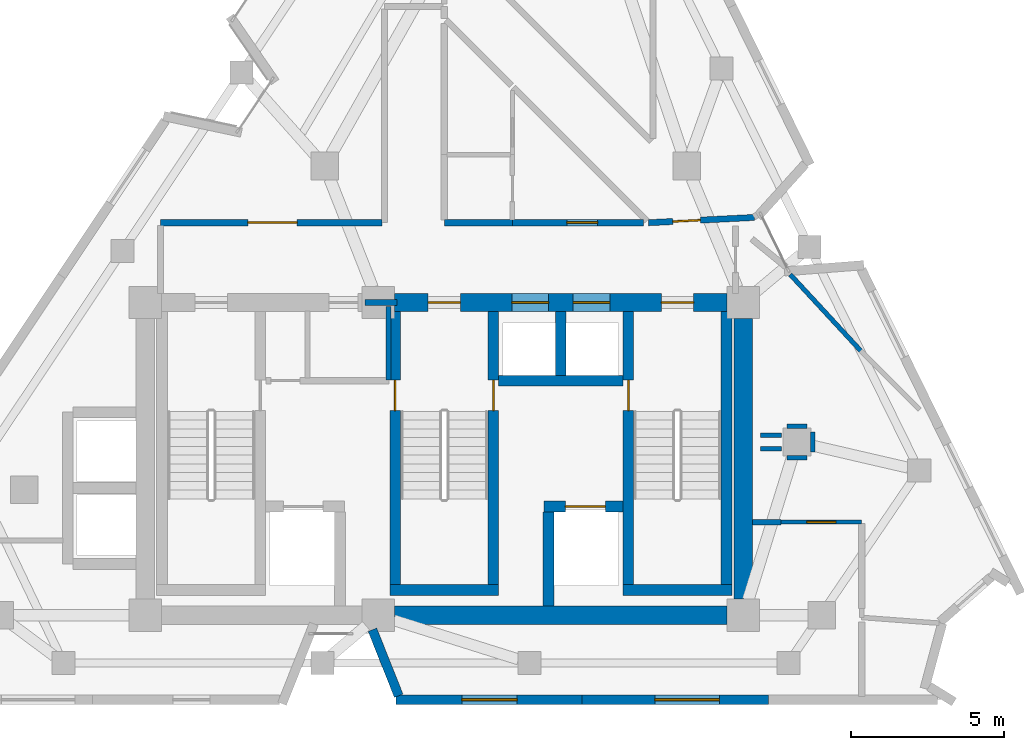
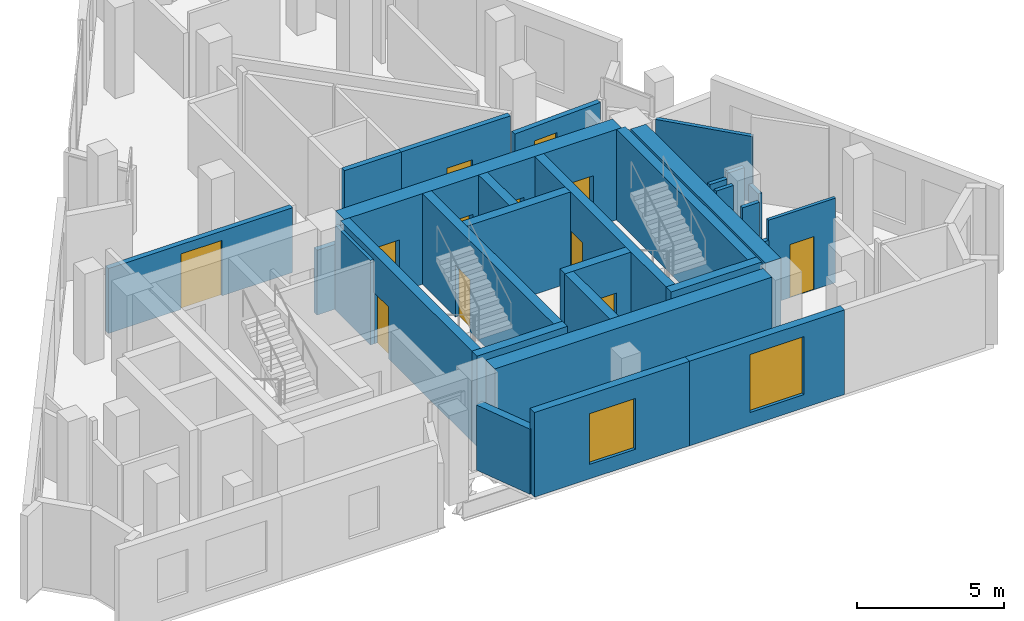
# One storey, part 5 of 8: 30 walls, 12 doors, 2 windows, 14 openings.
"""IFC4 building model written with IfcOpenShell, lengths in metres."""

from ifc_helpers import new_model, si_unit, direction, frame, frame_2d, origin, place, context, subcontext, project, spatial, rectangle, extrude, material, layer, layer_set, type_object, element, fill, save


model = new_model("IFC4")

# Units and contexts
model_context = context("Model", 3, precision=1e-05, world=origin(), true_north=direction((0.0, 1.0)))
body_context = subcontext(model_context, "Body", "Model", "MODEL_VIEW")
ifc_project = project(units=[si_unit("LENGTHUNIT", "METRE"), si_unit("AREAUNIT", "SQUARE_METRE"), si_unit("VOLUMEUNIT", "CUBIC_METRE"), si_unit("PLANEANGLEUNIT", "RADIAN"), si_unit("MASSUNIT", "GRAM", prefix="KILO")], contexts=[model_context])

# Site, building, storey
site_placement = place(None, origin())
site = spatial("IfcSite", under=ifc_project, at=site_placement, CompositionType="ELEMENT")
building_placement = place(site_placement, origin())
building = spatial("IfcBuilding", under=site, at=building_placement, Name="Almagre Mirador Tower", CompositionType="ELEMENT")
storey_placement = place(building_placement, frame((0.0, 0.0, 274.5)))
storey = spatial("IfcBuildingStorey", under=building, at=storey_placement, Name="L71", CompositionType="ELEMENT", Elevation=274.5)

# Wall, opening, window
ifc_material_1 = material(Name="Precast concrete C50/60", Category="concrete")
ifc_layer_1 = layer(ifc_material_1, 0.300048828125)
ifc_layer_set_1 = layer_set([ifc_layer_1], Name="Precast concrete C50/60")
wall_type_1 = type_object("IfcWallType", Name="WAL-EXT-300", PredefinedType="SOLIDWALL", material=ifc_layer_set_1)
wall_1_placement = place(storey_placement, frame((47.867919921875, 1.800048828125, 0.0), z_axis=(0.0, 0.0, 1.0), x_axis=(-1.0, 0.0, 0.0)))
wall_1 = element("IfcWall", 1, at=wall_1_placement, inside=storey, type_object=wall_type_1, Name="L71 expressed almagre precast frame wall 20", PredefinedType="SOLIDWALL", context=body_context, shape_type="SweptSolid", body=[
    extrude(rectangle(XDim=6.072021484375, YDim=0.300048828125, at=frame_2d((3.0361328125, 0.0))), origin(), (0.0, 0.0, 1.0), 3.5),
])
opening_1_placement = place(wall_1_placement, frame((1.60009765625, 0.0, 0.550048828125)))
opening_1 = element("IfcOpeningElement", 2, at=opening_1_placement, cuts=wall_1, Name="Opening WN-05", PredefinedType="OPENING", context=body_context, shape_type="SweptSolid", body=[
    extrude(rectangle(XDim=2.10009765625, YDim=2.39990234375, at=frame_2d((1.050048828125, 1.199951171875))), frame((0.0, 0.159902, 0.0), z_axis=(0.0, -1.0, 0.0), x_axis=(1.0, 0.0, 0.0)), (0.0, 0.0, 1.0), 0.320049),
])
ifc_material_2 = material(Name="Dark solar-control laminated hurricane glass", Category="glass")
window_type_1 = type_object("IfcWindowType", Name="WIN-2100X2400", PartitioningType="DOUBLE_PANEL_VERTICAL", PredefinedType="WINDOW", material=ifc_material_2)
window_1_placement = place(opening_1_placement, origin())
window_1 = element("IfcWindow", 3, at=window_1_placement, inside=storey, type_object=window_type_1, Name="L71 recessed hurricane window L71-UC-BT", OverallHeight=2.39990234375, OverallWidth=2.10009765625, PartitioningType="SINGLE_PANEL", PredefinedType="WINDOW", context=body_context, shape_type="SweptSolid", body=[
    extrude(rectangle(XDim=2.10009765625, YDim=2.39990234375, at=frame_2d((1.050048828125, 1.199951171875))), frame((0.0, 0.030029296875, 0.0), z_axis=(0.0, -1.0, 0.0), x_axis=(1.0, 0.0, 0.0)), (0.0, 0.0, 1.0), 0.06005859375),
])
fill(opening_1, window_1)

wall_2_placement = place(storey_placement, frame((41.7958984375, 1.800048828125, 0.0), z_axis=(0.0, 0.0, 1.0), x_axis=(-1.0, 0.0, 0.0)))
wall_2 = element("IfcWall", 4, at=wall_2_placement, inside=storey, type_object=wall_type_1, Name="L71 expressed almagre precast frame wall 21", PredefinedType="SOLIDWALL", context=body_context, shape_type="SweptSolid", body=[
    extrude(rectangle(XDim=6.07177734375, YDim=0.300048828125, at=frame_2d((3.035888671875, 0.0))), origin(), (0.0, 0.0, 1.0), 3.5),
])
opening_2_placement = place(wall_2_placement, frame((2.125, 0.0, 0.60009765625)))
opening_2 = element("IfcOpeningElement", 5, at=opening_2_placement, cuts=wall_2, Name="Opening WN-01", PredefinedType="OPENING", context=body_context, shape_type="SweptSolid", body=[
    extrude(rectangle(XDim=1.800048828125, YDim=2.10009765625, at=frame_2d((0.89990234375, 1.050048828125))), frame((0.0, 0.159902, 0.0), z_axis=(0.0, -1.0, 0.0), x_axis=(1.0, 0.0, 0.0)), (0.0, 0.0, 1.0), 0.320049),
])
ifc_material_3 = material(Name="Dark solar-control laminated hurricane glass", Category="glass")
window_type_2 = type_object("IfcWindowType", Name="WIN-1800X2100", PartitioningType="DOUBLE_PANEL_VERTICAL", PredefinedType="WINDOW", material=ifc_material_3)
window_2_placement = place(opening_2_placement, origin())
window_2 = element("IfcWindow", 6, at=window_2_placement, inside=storey, type_object=window_type_2, Name="L71 recessed hurricane window L71-UB-ST", OverallHeight=2.10009765625, OverallWidth=1.800048828125, PartitioningType="SINGLE_PANEL", PredefinedType="WINDOW", context=body_context, shape_type="SweptSolid", body=[
    extrude(rectangle(XDim=1.800048828125, YDim=2.10009765625, at=frame_2d((0.89990234375, 1.050048828125))), frame((0.0, 0.030029296875, 0.0), z_axis=(0.0, -1.0, 0.0), x_axis=(1.0, 0.0, 0.0)), (0.0, 0.0, 1.0), 0.06005859375),
])
fill(opening_2, window_2)

# Wall
wall_3_placement = place(storey_placement, frame((35.814208984375, 1.92529296875, 0.0), z_axis=(0.0, 0.0, 1.0), x_axis=(-0.369538433836, 0.929215446448, 0.0)))
element("IfcWall", 7, at=wall_3_placement, inside=storey, type_object=wall_type_1, Name="L71 expressed almagre precast frame wall 22", PredefinedType="SOLIDWALL", context=body_context, shape_type="SweptSolid", body=[
    extrude(rectangle(XDim=2.31884765625, YDim=0.300048828125, at=frame_2d((1.159423828125, 0.0))), origin(), (0.0, 0.0, 1.0), 2.696044921875),
])

# Wall, opening, door
ifc_material_4 = material(Name="Gypsum acoustic stud partition", Category="other")
ifc_layer_2 = layer(ifc_material_4, 0.125)
ifc_layer_set_2 = layer_set([ifc_layer_2], Name="Gypsum acoustic stud partition")
wall_type_2 = type_object("IfcWallType", Name="WAL-PRT-125-UTL", PredefinedType="PARTITIONING", material=ifc_layer_set_2)
wall_4_placement = place(storey_placement, frame((48.280029296875, 7.590087890625, 0.0), z_axis=(0.0, 0.0, 1.0), x_axis=(1.0, 0.0, 0.0)))
wall_4 = element("IfcWall", 8, at=wall_4_placement, inside=storey, type_object=wall_type_2, Name="L71 interior partition 026", PredefinedType="PARTITIONING", context=body_context, shape_type="SweptSolid", body=[
    extrude(rectangle(XDim=2.6298828125, YDim=0.125, at=frame_2d((1.31494140625, 0.0))), origin(), (0.0, 0.0, 1.0), 3.5),
])
opening_3_placement = place(wall_4_placement, frame((0.840087890625, 0.0, 0.0)))
opening_3 = element("IfcOpeningElement", 9, at=opening_3_placement, cuts=wall_4, Name="Opening UD-01", PredefinedType="OPENING", context=body_context, shape_type="SweptSolid", body=[
    extrude(rectangle(XDim=0.949951171875, YDim=2.199951171875, at=frame_2d((0.47509765625, 1.10009765625))), frame((0.0, 0.0725, 0.0), z_axis=(0.0, -1.0, 0.0), x_axis=(1.0, 0.0, 0.0)), (0.0, 0.0, 1.0), 0.145),
])
ifc_material_5 = material(Name="Solid American walnut timber", Category="wood")
door_type_1 = type_object("IfcDoorType", Name="DOR-UNR-950X2200", OperationType="NOTDEFINED", PredefinedType="DOOR", material=ifc_material_5)
door_1_placement = place(opening_3_placement, origin())
door_1 = element("IfcDoor", 10, at=door_1_placement, inside=storey, type_object=door_type_1, Name="DR-2153 L71 interior door L71-UC-ST to L71-UC-KT", OperationType="SINGLE_SWING_RIGHT", OverallHeight=2.199951171875, OverallWidth=0.949951171875, PredefinedType="DOOR", context=body_context, shape_type="SweptSolid", body=[
    extrude(rectangle(XDim=0.949951171875, YDim=2.199951171875, at=frame_2d((0.47509765625, 1.10009765625))), frame((0.0, 0.02490234375, 0.0), z_axis=(0.0, -1.0, 0.0), x_axis=(1.0, 0.0, 0.0)), (0.0, 0.0, 1.0), 0.050048828125),
])
fill(opening_3, door_1)

# Walls
ifc_material_6 = material(Name="Gypsum acoustic stud partition", Category="other")
ifc_layer_3 = layer(ifc_material_6, 0.14990234375)
ifc_layer_set_3 = layer_set([ifc_layer_3], Name="Gypsum acoustic stud partition")
wall_type_3 = type_object("IfcWallType", Name="WAL-PRT-150-STD", PredefinedType="PARTITIONING", material=ifc_layer_set_3)
wall_5_placement = place(storey_placement, frame((47.610107421875, 10.419921875, 0.0), z_axis=(0.0, 0.0, 1.0), x_axis=(1.0, 0.0, 0.0)))
element("IfcWall", 11, at=wall_5_placement, inside=storey, type_object=wall_type_3, Name="L71 interior partition 061", PredefinedType="PARTITIONING", context=body_context, shape_type="SweptSolid", body=[
    extrude(rectangle(XDim=0.679931640625, YDim=0.14990234375, at=frame_2d((0.33984375, 0.0))), origin(), (0.0, 0.0, 1.0), 3.5),
])
wall_6_placement = place(storey_placement, frame((48.469970703125, 10.7099609375, 0.0), z_axis=(0.0, 0.0, 1.0), x_axis=(1.0, 0.0, 0.0)))
element("IfcWall", 12, at=wall_6_placement, inside=storey, type_object=wall_type_3, Name="L71 interior partition 062", PredefinedType="PARTITIONING", context=body_context, shape_type="SweptSolid", body=[
    extrude(rectangle(XDim=0.659912109375, YDim=0.14990234375, at=frame_2d((0.330078125, 0.0))), origin(), (0.0, 0.0, 1.0), 3.5),
])
wall_7_placement = place(storey_placement, frame((49.31005859375, 10.530029296875, 0.0), z_axis=(0.0, 0.0, 1.0), x_axis=(0.0, -1.0, 0.0)))
element("IfcWall", 13, at=wall_7_placement, inside=storey, type_object=wall_type_3, Name="L71 interior partition 063", PredefinedType="PARTITIONING", context=body_context, shape_type="SweptSolid", body=[
    extrude(rectangle(XDim=0.659912109375, YDim=0.14990234375, at=frame_2d((0.330078125, 0.0))), origin(), (0.0, 0.0, 1.0), 2.8349609375),
])
wall_8_placement = place(storey_placement, frame((49.1298828125, 9.68994140625, 0.0), z_axis=(0.0, 0.0, 1.0), x_axis=(-1.0, 0.0, 0.0)))
element("IfcWall", 14, at=wall_8_placement, inside=storey, type_object=wall_type_3, Name="L71 interior partition 064", PredefinedType="PARTITIONING", context=body_context, shape_type="SweptSolid", body=[
    extrude(rectangle(XDim=0.659912109375, YDim=0.14990234375, at=frame_2d((0.330078125, 0.0))), origin(), (0.0, 0.0, 1.0), 2.68505859375),
])
wall_9_placement = place(storey_placement, frame((48.2900390625, 9.97998046875, 0.0), z_axis=(0.0, 0.0, 1.0), x_axis=(-1.0, 0.0, 0.0)))
element("IfcWall", 15, at=wall_9_placement, inside=storey, type_object=wall_type_3, Name="L71 interior partition 065", PredefinedType="PARTITIONING", context=body_context, shape_type="SweptSolid", body=[
    extrude(rectangle(XDim=0.679931640625, YDim=0.14990234375, at=frame_2d((0.33984375, 0.0))), origin(), (0.0, 0.0, 1.0), 3.5),
])
wall_10_placement = place(storey_placement, frame((50.909912109375, 13.139892578125, 0.0), z_axis=(0.0, 0.0, 1.0), x_axis=(-0.678714212845, 0.734402489976, 0.0)))
element("IfcWall", 16, at=wall_10_placement, inside=storey, type_object=wall_type_3, Name="L71 interior partition 068", PredefinedType="PARTITIONING", context=body_context, shape_type="SweptSolid", body=[
    extrude(rectangle(XDim=3.4326171875, YDim=0.14990234375, at=frame_2d((1.71630859375, 0.0))), origin(), (0.0, 0.0, 1.0), 2.69091796875),
])
ifc_material_7 = material(Name="Gypsum acoustic stud partition", Category="other")
ifc_layer_4 = layer(ifc_material_7, 0.175048828125)
ifc_layer_set_4 = layer_set([ifc_layer_4], Name="Gypsum acoustic stud partition")
wall_type_4 = type_object("IfcWallType", Name="WAL-PRT-175-AC", PredefinedType="PARTITIONING", material=ifc_layer_set_4)
wall_11_placement = place(storey_placement, frame((47.35009765625, 7.590087890625, 0.0), z_axis=(0.0, 0.0, 1.0), x_axis=(1.0, 0.0, 0.0)))
element("IfcWall", 17, at=wall_11_placement, inside=storey, type_object=wall_type_4, Name="L71 interior partition 057", PredefinedType="PARTITIONING", context=body_context, shape_type="SweptSolid", body=[
    extrude(rectangle(XDim=0.929931640625, YDim=0.175048828125, at=frame_2d((0.46484375, 0.0))), origin(), (0.0, 0.0, 1.0), 2.68505859375),
])
ifc_material_8 = material(Name="Gypsum acoustic stud partition", Category="other")
ifc_layer_5 = layer(ifc_material_8, 0.199951171875)
ifc_layer_set_5 = layer_set([ifc_layer_5], Name="Gypsum acoustic stud partition")
wall_type_5 = type_object("IfcWallType", Name="WAL-PRT-200-EI60", PredefinedType="PARTITIONING", material=ifc_layer_set_5)
wall_12_placement = place(storey_placement, frame((34.719970703125, 14.75, 0.0), z_axis=(0.0, 0.0, 1.0), x_axis=(1.0, 0.0, 0.0)))
element("IfcWall", 18, at=wall_12_placement, inside=storey, type_object=wall_type_5, Name="L71 core north closure wall", PredefinedType="PARTITIONING", context=body_context, shape_type="SweptSolid", body=[
    extrude(rectangle(XDim=1.030029296875, YDim=0.199951171875, at=frame_2d((0.51513671875, 0.0))), origin(), (0.0, 0.0, 1.0), 2.68505859375),
])
wall_13_placement = place(storey_placement, frame((35.47998046875, 12.219970703125, 0.0), z_axis=(0.0, 0.0, 1.0), x_axis=(0.0, 1.0, 0.0)))
element("IfcWall", 19, at=wall_13_placement, inside=storey, type_object=wall_type_5, Name="L71 core riser east wall", PredefinedType="PARTITIONING", context=body_context, shape_type="SweptSolid", body=[
    extrude(rectangle(XDim=2.396240234375, YDim=0.14990234375, at=frame_2d((1.1982421875, 0.0))), origin(), (0.0, 0.0, 1.0), 3.5),
])

# Wall, opening, door
wall_14_placement = place(storey_placement, frame((43.7900390625, 17.35009765625, 0.0), z_axis=(0.0, 0.0, 1.0), x_axis=(-1.0, 0.0, 0.0)))
wall_14 = element("IfcWall", 20, at=wall_14_placement, inside=storey, type_object=wall_type_5, Name="L71 interior partition 003", PredefinedType="PARTITIONING", context=body_context, shape_type="SweptSolid", body=[
    extrude(rectangle(XDim=4.27001953125, YDim=0.199951171875, at=frame_2d((2.135009765625, 0.0))), origin(), (0.0, 0.0, 1.0), 3.5),
])
opening_4_placement = place(wall_14_placement, frame((1.491455078125, 0.0, 0.0)))
opening_4 = element("IfcOpeningElement", 21, at=opening_4_placement, cuts=wall_14, Name="Opening ID-01", PredefinedType="OPENING", context=body_context, shape_type="SweptSolid", body=[
    extrude(rectangle(XDim=1.0, YDim=2.199951171875, at=frame_2d((0.5, 1.10009765625))), frame((0.0, 0.110098, 0.0), z_axis=(0.0, -1.0, 0.0), x_axis=(1.0, 0.0, 0.0)), (0.0, 0.0, 1.0), 0.219951),
])
ifc_material_9 = material(Name="Fire-rated walnut timber", Category="wood")
door_type_2 = type_object("IfcDoorType", Name="DOR-FD60-1000X2200", OperationType="NOTDEFINED", PredefinedType="DOOR", material=ifc_material_9)
door_2_placement = place(opening_4_placement, origin())
door_2 = element("IfcDoor", 22, at=door_2_placement, inside=storey, type_object=door_type_2, Name="DR-2154 L71 interior door L71-RCOR to L71-UF-ST", OperationType="SINGLE_SWING_RIGHT", OverallHeight=2.199951171875, OverallWidth=1.0, PredefinedType="DOOR", context=body_context, shape_type="SweptSolid", body=[
    extrude(rectangle(XDim=1.0, YDim=2.199951171875, at=frame_2d((0.5, 1.10009765625))), frame((0.0, 0.02490234375, 0.0), z_axis=(0.0, -1.0, 0.0), x_axis=(1.0, 0.0, 0.0)), (0.0, 0.0, 1.0), 0.050048828125),
])
fill(opening_4, door_2)

# Wall
wall_15_placement = place(storey_placement, frame((39.52001953125, 17.35009765625, 0.0), z_axis=(0.0, 0.0, 1.0), x_axis=(-1.0, 0.0, 0.0)))
element("IfcWall", 23, at=wall_15_placement, inside=storey, type_object=wall_type_5, Name="L71 interior partition 004", PredefinedType="PARTITIONING", context=body_context, shape_type="SweptSolid", body=[
    extrude(rectangle(XDim=2.219970703125, YDim=0.199951171875, at=frame_2d((1.10986328125, 0.0))), origin(), (0.0, 0.0, 1.0), 3.5),
])

# Wall, opening, door
wall_16_placement = place(storey_placement, frame((35.264892578125, 17.35009765625, 0.0), z_axis=(0.0, 0.0, 1.0), x_axis=(-1.0, 0.0, 0.0)))
wall_16 = element("IfcWall", 24, at=wall_16_placement, inside=storey, type_object=wall_type_5, Name="L71 interior partition 009", PredefinedType="PARTITIONING", context=body_context, shape_type="SweptSolid", body=[
    extrude(rectangle(XDim=7.21484375, YDim=0.199951171875, at=frame_2d((3.607421875, 0.0))), origin(), (0.0, 0.0, 1.0), 2.68505859375),
])
opening_5_placement = place(wall_16_placement, frame((2.764892578125, 0.0, 0.0)))
opening_5 = element("IfcOpeningElement", 25, at=opening_5_placement, cuts=wall_16, Name="Opening ID-05", PredefinedType="OPENING", context=body_context, shape_type="SweptSolid", body=[
    extrude(rectangle(XDim=1.60009765625, YDim=2.300048828125, at=frame_2d((0.800048828125, 1.14990234375))), frame((0.0, 0.110098, 0.0), z_axis=(0.0, -1.0, 0.0), x_axis=(1.0, 0.0, 0.0)), (0.0, 0.0, 1.0), 0.219951),
])
ifc_material_10 = material(Name="Fire-rated acoustic timber", Category="wood")
door_type_3 = type_object("IfcDoorType", Name="DOR-FD60-1600X2300", OperationType="DOUBLE_DOOR_SINGLE_SWING", PredefinedType="DOOR", material=ifc_material_10)
door_3_placement = place(opening_5_placement, origin())
door_3 = element("IfcDoor", 26, at=door_3_placement, inside=storey, type_object=door_type_3, Name="DR-2151 L71 interior door L71-RCOR to L71-RST-H", OperationType="DOUBLE_DOOR_SINGLE_SWING", OverallHeight=2.300048828125, OverallWidth=1.60009765625, PredefinedType="DOOR", context=body_context, shape_type="SweptSolid", body=[
    extrude(rectangle(XDim=1.60009765625, YDim=2.300048828125, at=frame_2d((0.800048828125, 1.14990234375))), frame((0.0, 0.02490234375, 0.0), z_axis=(0.0, -1.0, 0.0), x_axis=(1.0, 0.0, 0.0)), (0.0, 0.0, 1.0), 0.050048828125),
])
fill(opening_5, door_3)

wall_17_placement = place(storey_placement, frame((47.409912109375, 17.52197265625, 0.0), z_axis=(0.0, 0.0, 1.0), x_axis=(-0.998761311764, -0.049757834795, 0.0)))
wall_17 = element("IfcWall", 27, at=wall_17_placement, inside=storey, type_object=wall_type_5, Name="L71 interior partition 012", PredefinedType="PARTITIONING", context=body_context, shape_type="SweptSolid", body=[
    extrude(rectangle(XDim=3.454345703125, YDim=0.199951171875, at=frame_2d((1.72705078125, 0.0))), origin(), (0.0, 0.0, 1.0), 2.68505859375),
])
opening_6_placement = place(wall_17_placement, frame((1.761962890625, 0.0, 0.0)))
opening_6 = element("IfcOpeningElement", 28, at=opening_6_placement, cuts=wall_17, Name="Opening ID-03", PredefinedType="OPENING", context=body_context, shape_type="SweptSolid", body=[
    extrude(rectangle(XDim=0.89990234375, YDim=2.10009765625, at=frame_2d((0.449951171875, 1.050048828125))), frame((0.0, 0.110098, 0.0), z_axis=(0.0, -1.0, 0.0), x_axis=(1.0, 0.0, 0.0)), (0.0, 0.0, 1.0), 0.219951),
])
ifc_material_11 = material(Name="Fire-rated hollow steel", Category="steel")
door_type_4 = type_object("IfcDoorType", Name="DOR-FD60-900X2100", OperationType="NOTDEFINED", PredefinedType="DOOR", material=ifc_material_11)
door_4_placement = place(opening_6_placement, origin())
door_4 = element("IfcDoor", 29, at=door_4_placement, inside=storey, type_object=door_type_4, Name="DR-2152 L71 interior door L71-RCOR to L71-RST-J", OperationType="SINGLE_SWING_LEFT", OverallHeight=2.10009765625, OverallWidth=0.89990234375, PredefinedType="DOOR", context=body_context, shape_type="SweptSolid", body=[
    extrude(rectangle(XDim=0.89990234375, YDim=2.10009765625, at=frame_2d((0.449951171875, 1.050048828125))), frame((0.0, 0.02490234375, 0.0), z_axis=(0.0, -1.0, 0.0), x_axis=(1.0, 0.0, 0.0)), (0.0, 0.0, 1.0), 0.050048828125),
])
fill(opening_6, door_4)

ifc_material_12 = material(Name="Concrete C60/75", Category="concrete")
ifc_layer_6 = layer(ifc_material_12, 0.35009765625)
ifc_layer_set_6 = layer_set([ifc_layer_6], Name="Concrete C60/75")
wall_type_6 = type_object("IfcWallType", Name="WAL-SHF-350", PredefinedType="SOLIDWALL", material=ifc_layer_set_6)
wall_18_placement = place(storey_placement, frame((35.699951171875, 5.199951171875, 0.0), z_axis=(0.0, 0.0, 1.0), x_axis=(0.0, 1.0, 0.0)))
wall_18 = element("IfcWall", 30, at=wall_18_placement, inside=storey, type_object=wall_type_6, Name="L71 shaft wall ST2-W", PredefinedType="SOLIDWALL", context=body_context, shape_type="SweptSolid", body=[
    extrude(rectangle(XDim=9.25, YDim=0.35009765625, at=frame_2d((4.625, 0.0))), origin(), (0.0, 0.0, 1.0), 3.75),
])
opening_7_placement = place(wall_18_placement, frame((6.02001953125, 0.0, 0.0)))
opening_7 = element("IfcOpeningElement", 31, at=opening_7_placement, cuts=wall_18, Name="Opening FD-01", PredefinedType="OPENING", context=body_context, shape_type="SweptSolid", body=[
    extrude(rectangle(XDim=1.0, YDim=2.14990234375, at=frame_2d((0.5, 1.074951171875))), frame((0.0, 0.185049, 0.0), z_axis=(0.0, -1.0, 0.0), x_axis=(1.0, 0.0, 0.0)), (0.0, 0.0, 1.0), 0.370098),
])
ifc_material_13 = material(Name="Fire-rated hollow steel", Category="steel")
door_type_5 = type_object("IfcDoorType", Name="DOR-FFL-1000X2150", OperationType="NOTDEFINED", PredefinedType="DOOR", material=ifc_material_13)
door_5_placement = place(opening_7_placement, origin())
door_5 = element("IfcDoor", 32, at=door_5_placement, inside=storey, type_object=door_type_5, Name="DR-2148 L71 FFL1-ST2 smokeproof door", OperationType="SINGLE_SWING_LEFT", OverallHeight=2.14990234375, OverallWidth=1.0, PredefinedType="DOOR", context=body_context, shape_type="SweptSolid", body=[
    extrude(rectangle(XDim=1.0, YDim=2.14990234375, at=frame_2d((0.5, 1.074951171875))), frame((0.0, 0.02490234375, 0.0), z_axis=(0.0, -1.0, 0.0), x_axis=(1.0, 0.0, 0.0)), (0.0, 0.0, 1.0), 0.050048828125),
])
fill(opening_7, door_5)

wall_19_placement = place(storey_placement, frame((38.89990234375, 5.199951171875, 0.0), z_axis=(0.0, 0.0, 1.0), x_axis=(0.0, 1.0, 0.0)))
wall_19 = element("IfcWall", 33, at=wall_19_placement, inside=storey, type_object=wall_type_6, Name="L71 shaft wall ST2-E", PredefinedType="SOLIDWALL", context=body_context, shape_type="SweptSolid", body=[
    extrude(rectangle(XDim=9.25, YDim=0.35009765625, at=frame_2d((4.625, 0.0))), origin(), (0.0, 0.0, 1.0), 3.75),
])
opening_8_placement = place(wall_19_placement, frame((6.02001953125, 0.0, 0.0)))
opening_8 = element("IfcOpeningElement", 34, at=opening_8_placement, cuts=wall_19, Name="Opening FD-01", PredefinedType="OPENING", context=body_context, shape_type="SweptSolid", body=[
    extrude(rectangle(XDim=1.0, YDim=2.14990234375, at=frame_2d((0.5, 1.074951171875))), frame((0.0, 0.185049, 0.0), z_axis=(0.0, -1.0, 0.0), x_axis=(1.0, 0.0, 0.0)), (0.0, 0.0, 1.0), 0.370098),
])
door_6_placement = place(opening_8_placement, origin())
door_6 = element("IfcDoor", 35, at=door_6_placement, inside=storey, type_object=door_type_5, Name="DR-2149 L71 FFL2-ST2 smokeproof door", OperationType="SINGLE_SWING_RIGHT", OverallHeight=2.14990234375, OverallWidth=1.0, PredefinedType="DOOR", context=body_context, shape_type="SweptSolid", body=[
    extrude(rectangle(XDim=1.0, YDim=2.14990234375, at=frame_2d((0.5, 1.074951171875))), frame((0.0, 0.02490234375, 0.0), z_axis=(0.0, -1.0, 0.0), x_axis=(1.0, 0.0, 0.0)), (0.0, 0.0, 1.0), 0.050048828125),
])
fill(opening_8, door_6)

# Wall
wall_20_placement = place(storey_placement, frame((35.52490234375, 5.375, 0.0), z_axis=(0.0, 0.0, 1.0), x_axis=(1.0, 0.0, 0.0)))
element("IfcWall", 36, at=wall_20_placement, inside=storey, type_object=wall_type_6, Name="L71 shaft wall ST2-S", PredefinedType="SOLIDWALL", context=body_context, shape_type="SweptSolid", body=[
    extrude(rectangle(XDim=3.550048828125, YDim=0.35009765625, at=frame_2d((1.77490234375, 0.0))), origin(), (0.0, 0.0, 1.0), 3.75),
])

# Wall, opening, door
wall_21_placement = place(storey_placement, frame((43.300048828125, 5.199951171875, 0.0), z_axis=(0.0, 0.0, 1.0), x_axis=(0.0, 1.0, 0.0)))
wall_21 = element("IfcWall", 37, at=wall_21_placement, inside=storey, type_object=wall_type_6, Name="L71 shaft wall ST3-W", PredefinedType="SOLIDWALL", context=body_context, shape_type="SweptSolid", body=[
    extrude(rectangle(XDim=9.25, YDim=0.35009765625, at=frame_2d((4.625, 0.0))), origin(), (0.0, 0.0, 1.0), 3.75),
])
opening_9_placement = place(wall_21_placement, frame((6.02001953125, 0.0, 0.0)))
opening_9 = element("IfcOpeningElement", 38, at=opening_9_placement, cuts=wall_21, Name="Opening FD-01", PredefinedType="OPENING", context=body_context, shape_type="SweptSolid", body=[
    extrude(rectangle(XDim=1.0, YDim=2.14990234375, at=frame_2d((0.5, 1.074951171875))), frame((0.0, 0.185049, 0.0), z_axis=(0.0, -1.0, 0.0), x_axis=(1.0, 0.0, 0.0)), (0.0, 0.0, 1.0), 0.370098),
])
door_7_placement = place(opening_9_placement, origin())
door_7 = element("IfcDoor", 39, at=door_7_placement, inside=storey, type_object=door_type_5, Name="DR-2150 L71 FFL2-ST3 smokeproof door", OperationType="SINGLE_SWING_LEFT", OverallHeight=2.14990234375, OverallWidth=1.0, PredefinedType="DOOR", context=body_context, shape_type="SweptSolid", body=[
    extrude(rectangle(XDim=1.0, YDim=2.14990234375, at=frame_2d((0.5, 1.074951171875))), frame((0.0, 0.02490234375, 0.0), z_axis=(0.0, -1.0, 0.0), x_axis=(1.0, 0.0, 0.0)), (0.0, 0.0, 1.0), 0.050048828125),
])
fill(opening_9, door_7)

# Walls
wall_22_placement = place(storey_placement, frame((46.5, 5.199951171875, 0.0), z_axis=(0.0, 0.0, 1.0), x_axis=(0.0, 1.0, 0.0)))
element("IfcWall", 40, at=wall_22_placement, inside=storey, type_object=wall_type_6, Name="L71 shaft wall ST3-E", PredefinedType="SOLIDWALL", context=body_context, shape_type="SweptSolid", body=[
    extrude(rectangle(XDim=9.25, YDim=0.35009765625, at=frame_2d((4.625, 0.0))), origin(), (0.0, 0.0, 1.0), 3.75),
])
wall_23_placement = place(storey_placement, frame((43.125, 5.375, 0.0), z_axis=(0.0, 0.0, 1.0), x_axis=(1.0, 0.0, 0.0)))
element("IfcWall", 41, at=wall_23_placement, inside=storey, type_object=wall_type_6, Name="L71 shaft wall ST3-S", PredefinedType="SOLIDWALL", context=body_context, shape_type="SweptSolid", body=[
    extrude(rectangle(XDim=3.550048828125, YDim=0.35009765625, at=frame_2d((1.77490234375, 0.0))), origin(), (0.0, 0.0, 1.0), 3.75),
])

# Wall, opening, door
wall_24_placement = place(storey_placement, frame((40.550048828125, 8.10009765625, 0.0), z_axis=(0.0, 0.0, 1.0), x_axis=(1.0, 0.0, 0.0)))
wall_24 = element("IfcWall", 42, at=wall_24_placement, inside=storey, type_object=wall_type_6, Name="L71 shaft wall FSAE2-N", PredefinedType="SOLIDWALL", context=body_context, shape_type="SweptSolid", body=[
    extrude(rectangle(XDim=2.574951171875, YDim=0.35009765625, at=frame_2d((1.28759765625, 0.0))), origin(), (0.0, 0.0, 1.0), 3.75),
])
opening_10_placement = place(wall_24_placement, frame((0.699951171875, 0.0, 0.0)))
opening_10 = element("IfcOpeningElement", 43, at=opening_10_placement, cuts=wall_24, Name="Opening LD-03", PredefinedType="OPENING", context=body_context, shape_type="SweptSolid", body=[
    extrude(rectangle(XDim=1.300048828125, YDim=2.25, at=frame_2d((0.64990234375, 1.125))), frame((0.0, 0.185049, 0.0), z_axis=(0.0, -1.0, 0.0), x_axis=(1.0, 0.0, 0.0)), (0.0, 0.0, 1.0), 0.370098),
])
ifc_material_14 = material(Name="Hollow stainless steel", Category="steel")
door_type_6 = type_object("IfcDoorType", Name="DOR-LD-1300X2250", OperationType="DOUBLE_DOOR_SLIDING", PredefinedType="DOOR", material=ifc_material_14)
door_8_placement = place(opening_10_placement, origin())
door_8 = element("IfcDoor", 44, at=door_8_placement, inside=storey, type_object=door_type_6, Name="DR-2159 L71 FSAE-2 lift landing door", OperationType="DOUBLE_DOOR_SLIDING", OverallHeight=2.25, OverallWidth=1.300048828125, PredefinedType="DOOR", context=body_context, shape_type="SweptSolid", body=[
    extrude(rectangle(XDim=1.300048828125, YDim=2.25, at=frame_2d((0.64990234375, 1.125))), frame((0.0, 0.02490234375, 0.0), z_axis=(0.0, -1.0, 0.0), x_axis=(1.0, 0.0, 0.0)), (0.0, 0.0, 1.0), 0.050048828125),
])
fill(opening_10, door_8)

# Walls
wall_25_placement = place(storey_placement, frame((40.699951171875, 4.85009765625, 0.0), z_axis=(0.0, 0.0, 1.0), x_axis=(0.0, 1.0, 0.0)))
element("IfcWall", 45, at=wall_25_placement, inside=storey, type_object=wall_type_6, Name="L71 shaft wall FSAE2-W", PredefinedType="SOLIDWALL", context=body_context, shape_type="SweptSolid", body=[
    extrude(rectangle(XDim=3.074951171875, YDim=0.35009765625, at=frame_2d((1.53759765625, 0.0))), origin(), (0.0, 0.0, 1.0), 3.75),
])
wall_26_placement = place(storey_placement, frame((39.074951171875, 12.199951171875, 0.0), z_axis=(0.0, 0.0, 1.0), x_axis=(1.0, 0.0, 0.0)))
element("IfcWall", 46, at=wall_26_placement, inside=storey, type_object=wall_type_6, Name="L71 shaft wall PLH-S", PredefinedType="SOLIDWALL", context=body_context, shape_type="SweptSolid", body=[
    extrude(rectangle(XDim=4.050048828125, YDim=0.35009765625, at=frame_2d((2.02490234375, 0.0))), origin(), (0.0, 0.0, 1.0), 3.75),
])
wall_27_placement = place(storey_placement, frame((41.10009765625, 12.375, 0.0), z_axis=(0.0, 0.0, 1.0), x_axis=(0.0, 1.0, 0.0)))
element("IfcWall", 47, at=wall_27_placement, inside=storey, type_object=wall_type_6, Name="L71 shaft wall PLH-M", PredefinedType="SOLIDWALL", context=body_context, shape_type="SweptSolid", body=[
    extrude(rectangle(XDim=2.074951171875, YDim=0.35009765625, at=frame_2d((1.03759765625, 0.0))), origin(), (0.0, 0.0, 1.0), 3.75),
])
ifc_material_15 = material(Name="Concrete C60/75", Category="concrete")
ifc_layer_7 = layer(ifc_material_15, 0.60009765625)
ifc_layer_set_7 = layer_set([ifc_layer_7], Name="Concrete C60/75")
wall_type_7 = type_object("IfcWallType", Name="WAL-SHR-600", PredefinedType="SHEAR", material=ifc_layer_set_7)
wall_28_placement = place(storey_placement, frame((35.675048828125, 4.550048828125, 0.0), z_axis=(0.0, 0.0, 1.0), x_axis=(1.0, 0.0, 0.0)))
element("IfcWall", 48, at=wall_28_placement, inside=storey, type_object=wall_type_7, Name="L71 core shear wall S2", PredefinedType="SHEAR", context=body_context, shape_type="SweptSolid", body=[
    extrude(rectangle(XDim=10.849853515625, YDim=0.60009765625, at=frame_2d((5.4248046875, 0.0))), origin(), (0.0, 0.0, 1.0), 3.75),
])

# Wall, openings, doors
wall_29_placement = place(storey_placement, frame((35.675048828125, 14.75, 0.0), z_axis=(0.0, 0.0, 1.0), x_axis=(1.0, 0.0, 0.0)))
wall_29 = element("IfcWall", 49, at=wall_29_placement, inside=storey, type_object=wall_type_7, Name="L71 core shear wall N2", PredefinedType="SHEAR", context=body_context, shape_type="SweptSolid", body=[
    extrude(rectangle(XDim=10.849853515625, YDim=0.60009765625, at=frame_2d((5.4248046875, 0.0))), origin(), (0.0, 0.0, 1.0), 3.75),
])
opening_11_placement = place(wall_29_placement, frame((1.10009765625, 0.0, 0.0)))
opening_11 = element("IfcOpeningElement", 50, at=opening_11_placement, cuts=wall_29, Name="Opening SD-01", PredefinedType="OPENING", context=body_context, shape_type="SweptSolid", body=[
    extrude(rectangle(XDim=1.050048828125, YDim=2.14990234375, at=frame_2d((0.52490234375, 1.074951171875))), frame((0.0, 0.310049, 0.0), z_axis=(0.0, -1.0, 0.0), x_axis=(1.0, 0.0, 0.0)), (0.0, 0.0, 1.0), 0.620098),
])
opening_12_placement = place(wall_29_placement, frame((8.699951171875, 0.0, 0.0)))
opening_12 = element("IfcOpeningElement", 51, at=opening_12_placement, cuts=wall_29, Name="Opening SD-01", PredefinedType="OPENING", context=body_context, shape_type="SweptSolid", body=[
    extrude(rectangle(XDim=1.050048828125, YDim=2.14990234375, at=frame_2d((0.52490234375, 1.074951171875))), frame((0.0, 0.310049, 0.0), z_axis=(0.0, -1.0, 0.0), x_axis=(1.0, 0.0, 0.0)), (0.0, 0.0, 1.0), 0.620098),
])
opening_13_placement = place(wall_29_placement, frame((3.824951171875, 0.0, 0.0)))
opening_13 = element("IfcOpeningElement", 52, at=opening_13_placement, cuts=wall_29, Name="Opening LD-02", PredefinedType="OPENING", context=body_context, shape_type="SweptSolid", body=[
    extrude(rectangle(XDim=1.199951171875, YDim=2.199951171875, at=frame_2d((0.60009765625, 1.10009765625))), frame((0.0, 0.310049, 0.0), z_axis=(0.0, -1.0, 0.0), x_axis=(1.0, 0.0, 0.0)), (0.0, 0.0, 1.0), 0.620098),
])
opening_14_placement = place(wall_29_placement, frame((5.824951171875, 0.0, 0.0)))
opening_14 = element("IfcOpeningElement", 53, at=opening_14_placement, cuts=wall_29, Name="Opening LD-02", PredefinedType="OPENING", context=body_context, shape_type="SweptSolid", body=[
    extrude(rectangle(XDim=1.199951171875, YDim=2.199951171875, at=frame_2d((0.60009765625, 1.10009765625))), frame((0.0, 0.310049, 0.0), z_axis=(0.0, -1.0, 0.0), x_axis=(1.0, 0.0, 0.0)), (0.0, 0.0, 1.0), 0.620098),
])
ifc_material_16 = material(Name="Hollow stainless steel", Category="steel")
door_type_7 = type_object("IfcDoorType", Name="DOR-LD-1200X2200", OperationType="DOUBLE_DOOR_SLIDING", PredefinedType="DOOR", material=ifc_material_16)
door_9_placement = place(opening_13_placement, origin())
door_9 = element("IfcDoor", 54, at=door_9_placement, inside=storey, type_object=door_type_7, Name="DR-2160 L71 PL-H1 lift landing door", OperationType="DOUBLE_DOOR_SLIDING", OverallHeight=2.199951171875, OverallWidth=1.199951171875, PredefinedType="DOOR", context=body_context, shape_type="SweptSolid", body=[
    extrude(rectangle(XDim=1.199951171875, YDim=2.199951171875, at=frame_2d((0.60009765625, 1.10009765625))), frame((0.0, 0.02490234375, 0.0), z_axis=(0.0, -1.0, 0.0), x_axis=(1.0, 0.0, 0.0)), (0.0, 0.0, 1.0), 0.050048828125),
])
fill(opening_13, door_9)
door_10_placement = place(opening_14_placement, origin())
door_10 = element("IfcDoor", 55, at=door_10_placement, inside=storey, type_object=door_type_7, Name="DR-2161 L71 PL-H2 lift landing door", OperationType="DOUBLE_DOOR_SLIDING", OverallHeight=2.199951171875, OverallWidth=1.199951171875, PredefinedType="DOOR", context=body_context, shape_type="SweptSolid", body=[
    extrude(rectangle(XDim=1.199951171875, YDim=2.199951171875, at=frame_2d((0.60009765625, 1.10009765625))), frame((0.0, 0.02490234375, 0.0), z_axis=(0.0, -1.0, 0.0), x_axis=(1.0, 0.0, 0.0)), (0.0, 0.0, 1.0), 0.050048828125),
])
fill(opening_14, door_10)
ifc_material_17 = material(Name="Fire-rated hollow steel", Category="steel")
door_type_8 = type_object("IfcDoorType", Name="DOR-ST-1050X2150", OperationType="NOTDEFINED", PredefinedType="DOOR", material=ifc_material_17)
door_11_placement = place(opening_11_placement, origin())
door_11 = element("IfcDoor", 56, at=door_11_placement, inside=storey, type_object=door_type_8, Name="DR-2163 L71 protected exit stair ST-2 door", OperationType="SINGLE_SWING_RIGHT", OverallHeight=2.14990234375, OverallWidth=1.050048828125, PredefinedType="DOOR", context=body_context, shape_type="SweptSolid", body=[
    extrude(rectangle(XDim=1.050048828125, YDim=2.14990234375, at=frame_2d((0.52490234375, 1.074951171875))), frame((0.0, 0.02490234375, 0.0), z_axis=(0.0, -1.0, 0.0), x_axis=(1.0, 0.0, 0.0)), (0.0, 0.0, 1.0), 0.050048828125),
])
fill(opening_11, door_11)
door_12_placement = place(opening_12_placement, origin())
door_12 = element("IfcDoor", 57, at=door_12_placement, inside=storey, type_object=door_type_8, Name="DR-2164 L71 protected exit stair ST-3 door", OperationType="SINGLE_SWING_LEFT", OverallHeight=2.14990234375, OverallWidth=1.050048828125, PredefinedType="DOOR", context=body_context, shape_type="SweptSolid", body=[
    extrude(rectangle(XDim=1.050048828125, YDim=2.14990234375, at=frame_2d((0.52490234375, 1.074951171875))), frame((0.0, 0.02490234375, 0.0), z_axis=(0.0, -1.0, 0.0), x_axis=(1.0, 0.0, 0.0)), (0.0, 0.0, 1.0), 0.050048828125),
])
fill(opening_12, door_12)

# Wall
wall_30_placement = place(storey_placement, frame((47.050048828125, 5.074951171875, 0.0), z_axis=(0.0, 0.0, 1.0), x_axis=(0.0, 1.0, 0.0)))
element("IfcWall", 58, at=wall_30_placement, inside=storey, type_object=wall_type_7, Name="L71 core shear wall E1", PredefinedType="SHEAR", context=body_context, shape_type="SweptSolid", body=[
    extrude(rectangle(XDim=9.150146484375, YDim=0.60009765625, at=frame_2d((4.5751953125, 0.0))), origin(), (0.0, 0.0, 1.0), 3.75),
])

save(model, "model.ifc")
